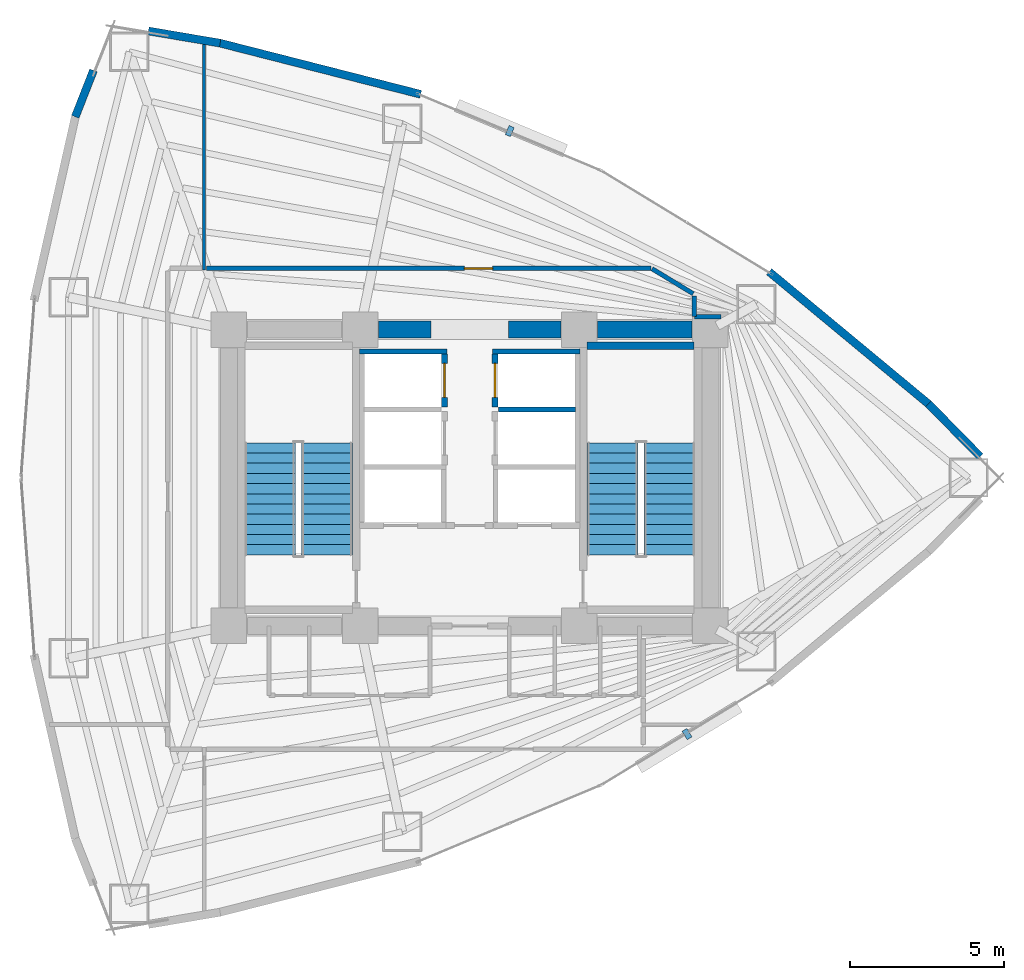
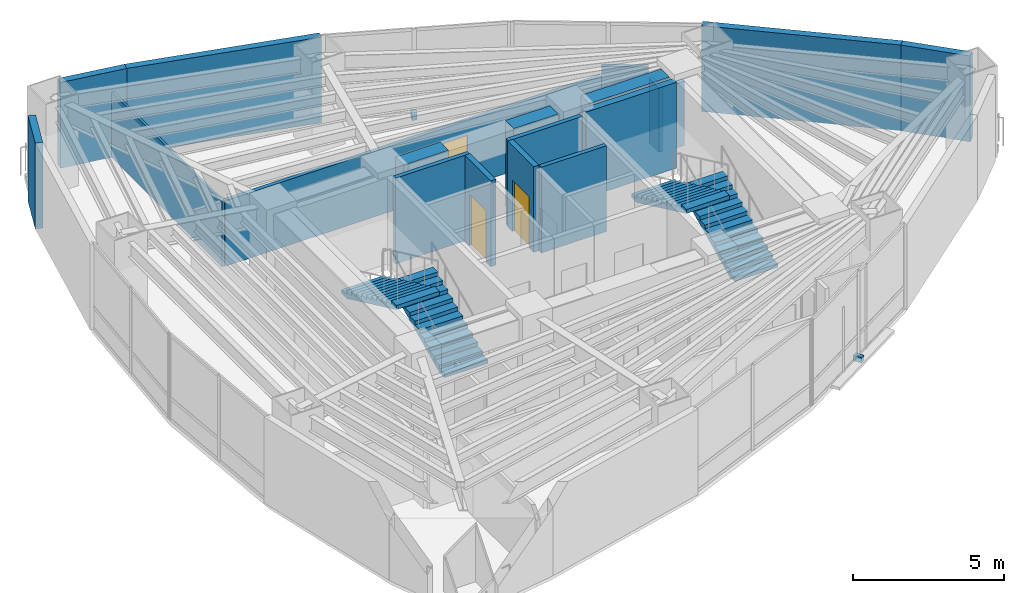
# One storey, part 16 of 18: 19 walls, 4 stair flights, 3 doors, 2 discrete accessories, 3 openings, 2 elements without a shape of their own.
"""IFC4 building model written with IfcOpenShell, lengths in metres."""

from ifc_helpers import new_model, si_unit, direction, frame, frame_2d, origin, origin_2d, place, context, subcontext, project, spatial, polyline, rectangle, outline, extrude, material, layer, layer_set, type_object, element, fill, aggregate, save


model = new_model("IFC4")

# Units and contexts
model_context = context("Model", 3, precision=1e-05, world=origin(), true_north=direction((0.0, 1.0)))
body_context = subcontext(model_context, "Body", "Model", "MODEL_VIEW")
ifc_project = project(units=[si_unit("LENGTHUNIT", "METRE"), si_unit("AREAUNIT", "SQUARE_METRE"), si_unit("VOLUMEUNIT", "CUBIC_METRE"), si_unit("PLANEANGLEUNIT", "RADIAN"), si_unit("MASSUNIT", "GRAM", prefix="KILO")], contexts=[model_context])

# Site, building, storey
site_placement = place(None, origin())
site = spatial("IfcSite", under=ifc_project, at=site_placement, CompositionType="ELEMENT")
building_placement = place(site_placement, origin())
building = spatial("IfcBuilding", under=site, at=building_placement, Name="Menara Vayukalpa", CompositionType="ELEMENT")
storey_placement = place(building_placement, frame((0.0, 0.0, 96.5400390625)))
storey = spatial("IfcBuildingStorey", under=building, at=storey_placement, Name="L23", CompositionType="ELEMENT", Elevation=96.5400390625)

# Walls
ifc_material_1 = material(Name="Concrete C60/75", Category="concrete")
ifc_layer_1 = layer(ifc_material_1, 0.550048828125)
ifc_layer_set_1 = layer_set([ifc_layer_1], Name="Concrete C60/75")
wall_type_1 = type_object("IfcWallType", Name="WAL-CW550", PredefinedType="SHEAR", material=ifc_layer_set_1)
wall_1_placement = place(storey_placement, frame((22.64501953125, 26.800048828125, 0.0), z_axis=(0.0, 0.0, 1.0), x_axis=(1.0, 0.0, 0.0)))
element("IfcWall", 1, at=wall_1_placement, inside=storey, type_object=wall_type_1, Name="L23 Buttressed Core Shear Wall CWN2", PredefinedType="SHEAR", context=body_context, shape_type="SweptSolid", body=[
    extrude(rectangle(XDim=1.705078125, YDim=0.550048828125, at=frame_2d((0.8525390625, 0.0))), origin(), (0.0, 0.0, 1.0), 3.469970703125),
])
wall_2_placement = place(storey_placement, frame((26.85009765625, 26.800048828125, 0.0), z_axis=(0.0, 0.0, 1.0), x_axis=(1.0, 0.0, 0.0)))
element("IfcWall", 2, at=wall_2_placement, inside=storey, type_object=wall_type_1, Name="L23 Buttressed Core Shear Wall CWN3", PredefinedType="SHEAR", context=body_context, shape_type="SweptSolid", body=[
    extrude(rectangle(XDim=1.704833984375, YDim=0.550048828125, at=frame_2d((0.8525390625, 0.0))), origin(), (0.0, 0.0, 1.0), 3.469970703125),
])
wall_3_placement = place(storey_placement, frame((29.7451171875, 26.800048828125, 0.0), z_axis=(0.0, 0.0, 1.0), x_axis=(1.0, 0.0, 0.0)))
element("IfcWall", 3, at=wall_3_placement, inside=storey, type_object=wall_type_1, Name="L23 Buttressed Core Shear Wall CWN4", PredefinedType="SHEAR", context=body_context, shape_type="SweptSolid", body=[
    extrude(rectangle(XDim=3.059814453125, YDim=0.550048828125, at=frame_2d((1.52978515625, 0.0))), origin(), (0.0, 0.0, 1.0), 3.469970703125),
])
ifc_material_2 = material(Name="Insulated Precast Concrete C40/50", Category="concrete")
ifc_layer_2 = layer(ifc_material_2, 0.260009765625)
ifc_layer_set_2 = layer_set([ifc_layer_2], Name="Insulated Precast Concrete C40/50")
wall_type_2 = type_object("IfcWallType", Name="WAL-EXT260", PredefinedType="PARTITIONING", material=ifc_layer_set_2)
wall_4_placement = place(storey_placement, frame((40.46337890625, 24.39208984375, 0.0), z_axis=(0.0, 0.0, 1.0), x_axis=(0.700603293449, -0.713550996922, 0.0)))
element("IfcWall", 4, at=wall_4_placement, inside=storey, type_object=wall_type_2, Name="L23 Perimeter Terracotta Pier Wall 02", PredefinedType="PARTITIONING", context=body_context, shape_type="SweptSolid", body=[
    extrude(rectangle(XDim=2.394775390625, YDim=0.260009765625, at=frame_2d((1.197265625, 0.0))), origin(), (0.0, 0.0, 1.0), 3.469970703125),
])
wall_5_placement = place(storey_placement, frame((35.30126953125, 28.672119140625, 0.0), z_axis=(0.0, 0.0, 1.0), x_axis=(0.76975316947, -0.638341646841, 0.0)))
element("IfcWall", 5, at=wall_5_placement, inside=storey, type_object=wall_type_2, Name="L23 Perimeter Terracotta Pier Wall 03", PredefinedType="PARTITIONING", context=body_context, shape_type="SweptSolid", body=[
    extrude(rectangle(XDim=6.718017578125, YDim=0.260009765625, at=frame_2d((3.35888671875, 0.0))), origin(), (0.0, 0.0, 1.0), 3.469970703125),
])
wall_6_placement = place(storey_placement, frame((17.504638671875, 36.08056640625, 0.0), z_axis=(0.0, 0.0, 1.0), x_axis=(0.968981437296, -0.247133514876, 0.0)))
element("IfcWall", 6, at=wall_6_placement, inside=storey, type_object=wall_type_2, Name="L23 Perimeter Terracotta Pier Wall 06", PredefinedType="PARTITIONING", context=body_context, shape_type="SweptSolid", body=[
    extrude(rectangle(XDim=6.717529296875, YDim=0.260009765625, at=frame_2d((3.35888671875, 0.0))), origin(), (0.0, 0.0, 1.0), 3.469970703125),
])
wall_7_placement = place(storey_placement, frame((15.19287109375, 36.472412109375, 0.0), z_axis=(0.0, 0.0, 1.0), x_axis=(0.985905269947, -0.167304508875, 0.0)))
element("IfcWall", 7, at=wall_7_placement, inside=storey, type_object=wall_type_2, Name="L23 Perimeter Terracotta Pier Wall 07", PredefinedType="PARTITIONING", context=body_context, shape_type="SweptSolid", body=[
    extrude(rectangle(XDim=2.356689453125, YDim=0.260009765625, at=frame_2d((1.17822265625, 0.0))), origin(), (0.0, 0.0, 1.0), 3.469970703125),
])
wall_8_placement = place(storey_placement, frame((12.822021484375, 33.69140625, 0.0), z_axis=(0.0, 0.0, 1.0), x_axis=(0.365488551504, 0.930815835018, 0.0)))
element("IfcWall", 8, at=wall_8_placement, inside=storey, type_object=wall_type_2, Name="L23 Perimeter Terracotta Pier Wall 08", PredefinedType="PARTITIONING", context=body_context, shape_type="SweptSolid", body=[
    extrude(rectangle(XDim=1.61376953125, YDim=0.260009765625, at=frame_2d((0.806884765625, 0.0))), origin(), (0.0, 0.0, 1.0), 3.469970703125),
])
ifc_material_3 = material(Name="Lightweight Concrete Blockwork C16/20", Category="masonry")
ifc_layer_3 = layer(ifc_material_3, 0.159912109375)
ifc_layer_set_3 = layer_set([ifc_layer_3], Name="Lightweight Concrete Blockwork C16/20")
wall_type_3 = type_object("IfcWallType", Name="WAL-FR150", PredefinedType="PARTITIONING", material=ifc_layer_set_3)
wall_9_placement = place(storey_placement, frame((22.030029296875, 26.0849609375, 0.0), z_axis=(0.0, 0.0, 1.0), x_axis=(1.0, 0.0, 0.0)))
element("IfcWall", 9, at=wall_9_placement, inside=storey, type_object=wall_type_3, Name="L23 Interior Partition IW-L23-SHM-W3N", PredefinedType="PARTITIONING", context=body_context, shape_type="SweptSolid", body=[
    extrude(rectangle(XDim=2.830078125, YDim=0.159912109375, at=frame_2d((1.4150390625, 0.0))), origin(), (0.0, 0.0, 1.0), 3.469970703125),
])
wall_10_placement = place(storey_placement, frame((26.530029296875, 24.215087890625, 0.0), z_axis=(0.0, 0.0, 1.0), x_axis=(1.0, 0.0, 0.0)))
element("IfcWall", 10, at=wall_10_placement, inside=storey, type_object=wall_type_3, Name="L23 Interior Partition IW-L23-SHM-E32", PredefinedType="PARTITIONING", context=body_context, shape_type="SweptSolid", body=[
    extrude(rectangle(XDim=2.489990234375, YDim=0.159912109375, at=frame_2d((1.2451171875, 0.0))), origin(), (0.0, 0.0, 1.0), 3.469970703125),
])
wall_11_placement = place(storey_placement, frame((26.340087890625, 26.0849609375, 0.0), z_axis=(0.0, 0.0, 1.0), x_axis=(1.0, 0.0, 0.0)))
element("IfcWall", 11, at=wall_11_placement, inside=storey, type_object=wall_type_3, Name="L23 Interior Partition IW-L23-SHM-E2N", PredefinedType="PARTITIONING", context=body_context, shape_type="SweptSolid", body=[
    extrude(rectangle(XDim=2.829833984375, YDim=0.159912109375, at=frame_2d((1.4150390625, 0.0))), origin(), (0.0, 0.0, 1.0), 3.469970703125),
])

# Wall, opening, door
ifc_material_4 = material(Name="Lightweight Concrete Blockwork C16/20", Category="masonry")
ifc_layer_4 = layer(ifc_material_4, 0.199951171875)
ifc_layer_set_4 = layer_set([ifc_layer_4], Name="Lightweight Concrete Blockwork C16/20")
wall_type_4 = type_object("IfcWallType", Name="WAL-FR200", PredefinedType="PARTITIONING", material=ifc_layer_set_4)
wall_12_placement = place(storey_placement, frame((24.780029296875, 24.2900390625, 0.0), z_axis=(0.0, 0.0, 1.0), x_axis=(0.0, 1.0, 0.0)))
wall_12 = element("IfcWall", 12, at=wall_12_placement, inside=storey, type_object=wall_type_4, Name="L23 Interior Partition IW-L23-SH-W3", PredefinedType="PARTITIONING", context=body_context, shape_type="SweptSolid", body=[
    extrude(rectangle(XDim=1.719970703125, YDim=0.199951171875, at=frame_2d((0.85986328125, 0.0))), origin(), (0.0, 0.0, 1.0), 3.469970703125),
])
opening_1_placement = place(wall_12_placement, frame((0.31005859375, 0.0, 0.0)))
opening_1 = element("IfcOpeningElement", 13, at=opening_1_placement, cuts=wall_12, Name="Opening LD1", PredefinedType="OPENING", context=body_context, shape_type="SweptSolid", body=[
    extrude(rectangle(XDim=1.10009765625, YDim=2.080078125, at=frame_2d((0.550048828125, 1.0400390625))), frame((0.0, 0.10986328125, 0.0), z_axis=(0.0, -1.0, 0.0), x_axis=(1.0, 0.0, 0.0)), (0.0, 0.0, 1.0), 0.219970703125),
])
ifc_material_5 = material(Name="Brushed Stainless Steel 316 Lift Door", Category="steel")
door_type_1 = type_object("IfcDoorType", Name="DR-LD110", OperationType="NOTDEFINED", PredefinedType="DOOR", material=ifc_material_5)
door_1_placement = place(opening_1_placement, origin())
door_1 = element("IfcDoor", 14, at=door_1_placement, inside=storey, type_object=door_type_1, Name="L23 Interior Door DR-L23-LD-W3", OperationType="DOUBLE_DOOR_SLIDING", OverallHeight=2.080078125, OverallWidth=1.10009765625, PredefinedType="DOOR", context=body_context, shape_type="SweptSolid", body=[
    extrude(rectangle(XDim=1.10009765625, YDim=2.080078125, at=frame_2d((0.550048828125, 1.0400390625))), frame((0.0, 0.02490234375, 0.0), z_axis=(0.0, -1.0, 0.0), x_axis=(1.0, 0.0, 0.0)), (0.0, 0.0, 1.0), 0.050048828125),
])
fill(opening_1, door_1)

wall_13_placement = place(storey_placement, frame((26.419921875, 24.2900390625, 0.0), z_axis=(0.0, 0.0, 1.0), x_axis=(0.0, 1.0, 0.0)))
wall_13 = element("IfcWall", 15, at=wall_13_placement, inside=storey, type_object=wall_type_4, Name="L23 Interior Partition IW-L23-SH-E2", PredefinedType="PARTITIONING", context=body_context, shape_type="SweptSolid", body=[
    extrude(rectangle(XDim=1.719970703125, YDim=0.199951171875, at=frame_2d((0.85986328125, 0.0))), origin(), (0.0, 0.0, 1.0), 3.469970703125),
])
opening_2_placement = place(wall_13_placement, frame((0.31005859375, 0.0, 0.0)))
opening_2 = element("IfcOpeningElement", 16, at=opening_2_placement, cuts=wall_13, Name="Opening LD1", PredefinedType="OPENING", context=body_context, shape_type="SweptSolid", body=[
    extrude(rectangle(XDim=1.10009765625, YDim=2.080078125, at=frame_2d((0.550048828125, 1.0400390625))), frame((0.0, 0.10986328125, 0.0), z_axis=(0.0, -1.0, 0.0), x_axis=(1.0, 0.0, 0.0)), (0.0, 0.0, 1.0), 0.219970703125),
])
door_2_placement = place(opening_2_placement, origin())
door_2 = element("IfcDoor", 17, at=door_2_placement, inside=storey, type_object=door_type_1, Name="L23 Interior Door DR-L23-LD-E2", OperationType="DOUBLE_DOOR_SLIDING", OverallHeight=2.080078125, OverallWidth=1.10009765625, PredefinedType="DOOR", context=body_context, shape_type="SweptSolid", body=[
    extrude(rectangle(XDim=1.10009765625, YDim=2.080078125, at=frame_2d((0.550048828125, 1.0400390625))), frame((0.0, 0.02490234375, 0.0), z_axis=(0.0, -1.0, 0.0), x_axis=(1.0, 0.0, 0.0)), (0.0, 0.0, 1.0), 0.050048828125),
])
fill(opening_2, door_2)

# Walls
ifc_material_6 = material(Name="Glazed Demountable Office Partition", Category="glass")
ifc_layer_5 = layer(ifc_material_6, 0.094970703125)
ifc_layer_set_5 = layer_set([ifc_layer_5], Name="Glazed Demountable Office Partition")
wall_type_5 = type_object("IfcWallType", Name="WAL-PT100", PredefinedType="PARTITIONING", material=ifc_layer_set_5)
wall_14_placement = place(storey_placement, frame((17.0, 28.72998046875, 0.0), z_axis=(0.0, 0.0, 1.0), x_axis=(0.0, 1.0, 0.0)))
element("IfcWall", 18, at=wall_14_placement, inside=storey, type_object=wall_type_5, Name="L23 Interior Partition IW-L23-RDIV02", PredefinedType="PARTITIONING", context=body_context, shape_type="SweptSolid", body=[
    extrude(rectangle(XDim=7.44580078125, YDim=0.094970703125, at=frame_2d((3.722900390625, 0.0))), origin(), (0.0, 0.0, 1.0), 2.64990234375),
])
ifc_material_7 = material(Name="Gypsum Drywall Acoustic Stud Assembly", Category="masonry")
ifc_layer_6 = layer(ifc_material_7, 0.14501953125)
ifc_layer_set_6 = layer_set([ifc_layer_6], Name="Gypsum Drywall Acoustic Stud Assembly")
wall_type_6 = type_object("IfcWallType", Name="WAL-PT150", PredefinedType="PARTITIONING", material=ifc_layer_set_6)
wall_15_placement = place(storey_placement, frame((33.739990234375, 27.219970703125, 0.0), z_axis=(0.0, 0.0, 1.0), x_axis=(-1.0, 0.0, 0.0)))
element("IfcWall", 19, at=wall_15_placement, inside=storey, type_object=wall_type_6, Name="L23 Interior Partition IW-L23-CRM04-3", PredefinedType="PARTITIONING", context=body_context, shape_type="SweptSolid", body=[
    extrude(rectangle(XDim=0.860107421875, YDim=0.14501953125, at=frame_2d((0.43017578125, 0.0))), origin(), (0.0, 0.0, 1.0), 2.599853515625),
])
wall_16_placement = place(storey_placement, frame((32.8798828125, 27.219970703125, 0.0), z_axis=(0.0, 0.0, 1.0), x_axis=(0.0, 1.0, 0.0)))
element("IfcWall", 20, at=wall_16_placement, inside=storey, type_object=wall_type_6, Name="L23 Interior Partition IW-L23-CRM04-4", PredefinedType="PARTITIONING", context=body_context, shape_type="SweptSolid", body=[
    extrude(rectangle(XDim=0.671142578125, YDim=0.14501953125, at=frame_2d((0.33544921875, 0.0))), origin(), (0.0, 0.0, 1.0), 2.599853515625),
])
wall_17_placement = place(storey_placement, frame((32.841552734375, 27.959716796875, 0.0), z_axis=(0.0, 0.0, 1.0), x_axis=(-0.854742818792, 0.519051744745, 0.0)))
element("IfcWall", 21, at=wall_17_placement, inside=storey, type_object=wall_type_6, Name="L23 Interior Partition IW-L23-CRM04-5", PredefinedType="PARTITIONING", context=body_context, shape_type="SweptSolid", body=[
    extrude(rectangle(XDim=1.557861328125, YDim=0.14501953125, at=frame_2d((0.77880859375, 0.0))), origin(), (0.0, 0.0, 1.0), 3.050048828125),
])

# Wall, opening, door
wall_18_placement = place(storey_placement, frame((31.468505859375, 28.780029296875, 0.0), z_axis=(0.0, 0.0, 1.0), x_axis=(-1.0, 0.0, 0.0)))
wall_18 = element("IfcWall", 22, at=wall_18_placement, inside=storey, type_object=wall_type_6, Name="L23 Interior Partition IW-L23-CRM04-6", PredefinedType="PARTITIONING", context=body_context, shape_type="SweptSolid", body=[
    extrude(rectangle(XDim=14.3984375, YDim=0.14501953125, at=frame_2d((7.19921875, 0.0))), origin(), (0.0, 0.0, 1.0), 2.64990234375),
])
opening_3_placement = place(wall_18_placement, frame((5.12451171875, 0.0, 0.0)))
opening_3 = element("IfcOpeningElement", 23, at=opening_3_placement, cuts=wall_18, Name="Opening ID6", PredefinedType="OPENING", context=body_context, shape_type="SweptSolid", body=[
    extrude(rectangle(XDim=0.919921875, YDim=2.050048828125, at=frame_2d((0.4599609375, 1.02490234375))), frame((0.0, 0.08251953125, 0.0), z_axis=(0.0, -1.0, 0.0), x_axis=(1.0, 0.0, 0.0)), (0.0, 0.0, 1.0), 0.1650390625),
])
ifc_material_8 = material(Name="Acoustic Hardwood Veneer Timber Door", Category="wood")
door_type_2 = type_object("IfcDoorType", Name="DR-INT92", OperationType="NOTDEFINED", PredefinedType="DOOR", material=ifc_material_8)
door_3_placement = place(opening_3_placement, origin())
door_3 = element("IfcDoor", 24, at=door_3_placement, inside=storey, type_object=door_type_2, Name="L23 Interior Door DR-L23-RM04", OperationType="SINGLE_SWING_LEFT", OverallHeight=2.050048828125, OverallWidth=0.919921875, PredefinedType="DOOR", context=body_context, shape_type="SweptSolid", body=[
    extrude(rectangle(XDim=0.919921875, YDim=2.050048828125, at=frame_2d((0.4599609375, 1.02490234375))), frame((0.0, 0.02490234375, 0.0), z_axis=(0.0, -1.0, 0.0), x_axis=(1.0, 0.0, 0.0)), (0.0, 0.0, 1.0), 0.050048828125),
])
fill(opening_3, door_3)

# Wall
ifc_material_9 = material(Name="Concrete C50/60", Category="concrete")
ifc_layer_7 = layer(ifc_material_9, 0.25)
ifc_layer_set_7 = layer_set([ifc_layer_7], Name="Concrete C50/60")
wall_type_7 = type_object("IfcWallType", Name="WAL-SW250", PredefinedType="SHEAR", material=ifc_layer_set_7)
wall_19_placement = place(storey_placement, frame((29.39990234375, 26.27490234375, 0.0), z_axis=(0.0, 0.0, 1.0), x_axis=(1.0, 0.0, 0.0)))
element("IfcWall", 25, at=wall_19_placement, inside=storey, type_object=wall_type_7, Name="L23 ST2 Structural Stair Shaft Wall N", PredefinedType="SHEAR", context=body_context, shape_type="SweptSolid", body=[
    extrude(rectangle(XDim=3.47119140625, YDim=0.25, at=frame_2d((1.735595703125, 0.0))), origin(), (0.0, 0.0, 1.0), 3.469970703125),
])

# Stair, stair flights
ifc_material_10 = material(Name="Precast Concrete C40/50", Category="concrete")
stair_type = type_object("IfcStairType", Name="STR-T04", PredefinedType="DOUBLE_RETURN_STAIR", material=ifc_material_10)
stair_1_placement = place(storey_placement, origin())
stair_1 = element("IfcStair", 26, at=stair_1_placement, inside=storey, type_object=stair_type, Name="L23 Core Exit Stair ST-1", PredefinedType="DOUBLE_RETURN_STAIR")
ifc_material_11 = material(Name="Precast Concrete C40/50", Category="concrete")
stair_flight_type = type_object("IfcStairFlightType", Name="STF-T04", PredefinedType="STRAIGHT", material=ifc_material_11)
stair_flight_1_placement = place(storey_placement, frame((20.97509765625, 19.5, 0.0), z_axis=(0.0, 0.0, 1.0), x_axis=(0.0, 1.0, 0.0)))
stair_flight_1 = element("IfcStairFlight", 27, at=stair_flight_1_placement, type_object=stair_flight_type, Name="ST-1 flight 1", NumberOfRisers=12, NumberOfTreads=11, PredefinedType="STRAIGHT", RiserHeight=0.155, TreadLength=0.33, context=body_context, shape_type="SweptSolid", body=[
    extrude(outline(polyline([(0.0, 0.0), (0.0, 0.155029296875), (0.330078125, 0.155029296875), (0.330078125, 0.31005859375), (0.659912109375, 0.31005859375), (0.659912109375, 0.465087890625), (0.989990234375, 0.465087890625), (0.989990234375, 0.6201171875), (1.320068359375, 0.6201171875), (1.320068359375, 0.77490234375), (1.64990234375, 0.77490234375), (1.64990234375, 0.929931640625), (1.97998046875, 0.929931640625), (1.97998046875, 1.0849609375), (2.31005859375, 1.0849609375), (2.31005859375, 1.239990234375), (2.639892578125, 1.239990234375), (2.639892578125, 1.39501953125), (2.969970703125, 1.39501953125), (2.969970703125, 1.550048828125), (3.300048828125, 1.550048828125), (3.300048828125, 1.705078125), (3.6298828125, 1.705078125), (3.6298828125, 1.860107421875), (3.6298828125, 1.539306640625), (0.3525390625, 0.0), (0.0, 0.0)])), frame((0.0, 0.824951171875, 0.0), z_axis=(0.0, -1.0, 0.0), x_axis=(1.0, 0.0, 0.0)), (0.0, 0.0, 1.0), 1.64990234375),
])
stair_flight_2_placement = place(storey_placement, frame((19.125, 23.1298828125, 1.85986328125), z_axis=(0.0, 0.0, 1.0), x_axis=(0.0, -1.0, 0.0)))
stair_flight_2 = element("IfcStairFlight", 28, at=stair_flight_2_placement, type_object=stair_flight_type, Name="ST-1 flight 2", NumberOfRisers=12, NumberOfTreads=11, PredefinedType="STRAIGHT", RiserHeight=0.155, TreadLength=0.33, context=body_context, shape_type="SweptSolid", body=[
    extrude(outline(polyline([(0.0, 0.0), (0.0, 0.155029296875), (0.330078125, 0.155029296875), (0.330078125, 0.31005859375), (0.659912109375, 0.31005859375), (0.659912109375, 0.465087890625), (0.989990234375, 0.465087890625), (0.989990234375, 0.6201171875), (1.320068359375, 0.6201171875), (1.320068359375, 0.77490234375), (1.64990234375, 0.77490234375), (1.64990234375, 0.929931640625), (1.97998046875, 0.929931640625), (1.97998046875, 1.0849609375), (2.31005859375, 1.0849609375), (2.31005859375, 1.239990234375), (2.639892578125, 1.239990234375), (2.639892578125, 1.39501953125), (2.969970703125, 1.39501953125), (2.969970703125, 1.550048828125), (3.300048828125, 1.550048828125), (3.300048828125, 1.705078125), (3.6298828125, 1.705078125), (3.6298828125, 1.860107421875), (3.6298828125, 1.539306640625), (0.3525390625, 0.0), (0.0, 0.0)])), frame((0.0, 0.824951171875, 0.0), z_axis=(0.0, -1.0, 0.0), x_axis=(1.0, 0.0, 0.0)), (0.0, 0.0, 1.0), 1.64990234375),
])
aggregate(stair_1, [stair_flight_1, stair_flight_2])

stair_2_placement = place(storey_placement, origin())
stair_2 = element("IfcStair", 29, at=stair_2_placement, inside=storey, type_object=stair_type, Name="L23 Core Exit Stair ST-2", PredefinedType="DOUBLE_RETURN_STAIR")
stair_flight_3_placement = place(storey_placement, frame((32.074951171875, 19.5, 0.0), z_axis=(0.0, 0.0, 1.0), x_axis=(0.0, 1.0, 0.0)))
stair_flight_3 = element("IfcStairFlight", 30, at=stair_flight_3_placement, type_object=stair_flight_type, Name="ST-2 flight 1", NumberOfRisers=12, NumberOfTreads=11, PredefinedType="STRAIGHT", RiserHeight=0.155, TreadLength=0.33, context=body_context, shape_type="SweptSolid", body=[
    extrude(outline(polyline([(0.0, 0.0), (0.0, 0.155029296875), (0.330078125, 0.155029296875), (0.330078125, 0.31005859375), (0.659912109375, 0.31005859375), (0.659912109375, 0.465087890625), (0.989990234375, 0.465087890625), (0.989990234375, 0.6201171875), (1.320068359375, 0.6201171875), (1.320068359375, 0.77490234375), (1.64990234375, 0.77490234375), (1.64990234375, 0.929931640625), (1.97998046875, 0.929931640625), (1.97998046875, 1.0849609375), (2.31005859375, 1.0849609375), (2.31005859375, 1.239990234375), (2.639892578125, 1.239990234375), (2.639892578125, 1.39501953125), (2.969970703125, 1.39501953125), (2.969970703125, 1.550048828125), (3.300048828125, 1.550048828125), (3.300048828125, 1.705078125), (3.6298828125, 1.705078125), (3.6298828125, 1.860107421875), (3.6298828125, 1.539306640625), (0.3525390625, 0.0), (0.0, 0.0)])), frame((0.0, 0.824951171875, 0.0), z_axis=(0.0, -1.0, 0.0), x_axis=(1.0, 0.0, 0.0)), (0.0, 0.0, 1.0), 1.64990234375),
])
stair_flight_4_placement = place(storey_placement, frame((30.22509765625, 23.1298828125, 1.85986328125), z_axis=(0.0, 0.0, 1.0), x_axis=(0.0, -1.0, 0.0)))
stair_flight_4 = element("IfcStairFlight", 31, at=stair_flight_4_placement, type_object=stair_flight_type, Name="ST-2 flight 2", NumberOfRisers=12, NumberOfTreads=11, PredefinedType="STRAIGHT", RiserHeight=0.155, TreadLength=0.33, context=body_context, shape_type="SweptSolid", body=[
    extrude(outline(polyline([(0.0, 0.0), (0.0, 0.155029296875), (0.330078125, 0.155029296875), (0.330078125, 0.31005859375), (0.659912109375, 0.31005859375), (0.659912109375, 0.465087890625), (0.989990234375, 0.465087890625), (0.989990234375, 0.6201171875), (1.320068359375, 0.6201171875), (1.320068359375, 0.77490234375), (1.64990234375, 0.77490234375), (1.64990234375, 0.929931640625), (1.97998046875, 0.929931640625), (1.97998046875, 1.0849609375), (2.31005859375, 1.0849609375), (2.31005859375, 1.239990234375), (2.639892578125, 1.239990234375), (2.639892578125, 1.39501953125), (2.969970703125, 1.39501953125), (2.969970703125, 1.550048828125), (3.300048828125, 1.550048828125), (3.300048828125, 1.705078125), (3.6298828125, 1.705078125), (3.6298828125, 1.860107421875), (3.6298828125, 1.539306640625), (0.3525390625, 0.0), (0.0, 0.0)])), frame((0.0, 0.824951171875, 0.0), z_axis=(0.0, -1.0, 0.0), x_axis=(1.0, 0.0, 0.0)), (0.0, 0.0, 1.0), 1.64990234375),
])
aggregate(stair_2, [stair_flight_3, stair_flight_4])

# Discrete accessories
ifc_material_12 = material(Name="Stainless Steel 316 Sunshade Bracket", Category="steel")
discrete_accessory_type = type_object("IfcDiscreteAccessoryType", Name="ACC-BRK1", PredefinedType="BRACKET", material=ifc_material_12)
for number, where, z_axis, x_axis, name in (
    (32, (26.898193359375, 33.22900390625, -0.16015625), (0.0, 0.0, 1.0), (-0.922544824647, 0.385889940938, 0.0), "L23 Terracotta Sunshade Bracket 05"),
    (33, (32.6416015625, 13.69580078125, -0.16015625), (0.0, 0.0, 1.0), (0.85466730962, 0.519176068272, 0.0), "L23 Terracotta Sunshade Bracket 17"),
):
    element("IfcDiscreteAccessory", number, at=place(storey_placement, frame(where, z_axis=z_axis, x_axis=x_axis)), inside=storey, type_object=discrete_accessory_type, Name=name, PredefinedType="BRACKET", context=body_context, shape_type="SweptSolid", body=[
        extrude(rectangle(XDim=0.179931640625, YDim=0.320068359375, at=origin_2d()), origin(), (0.0, 0.0, 1.0), 0.219970703125),
    ])

save(model, "model.ifc")
